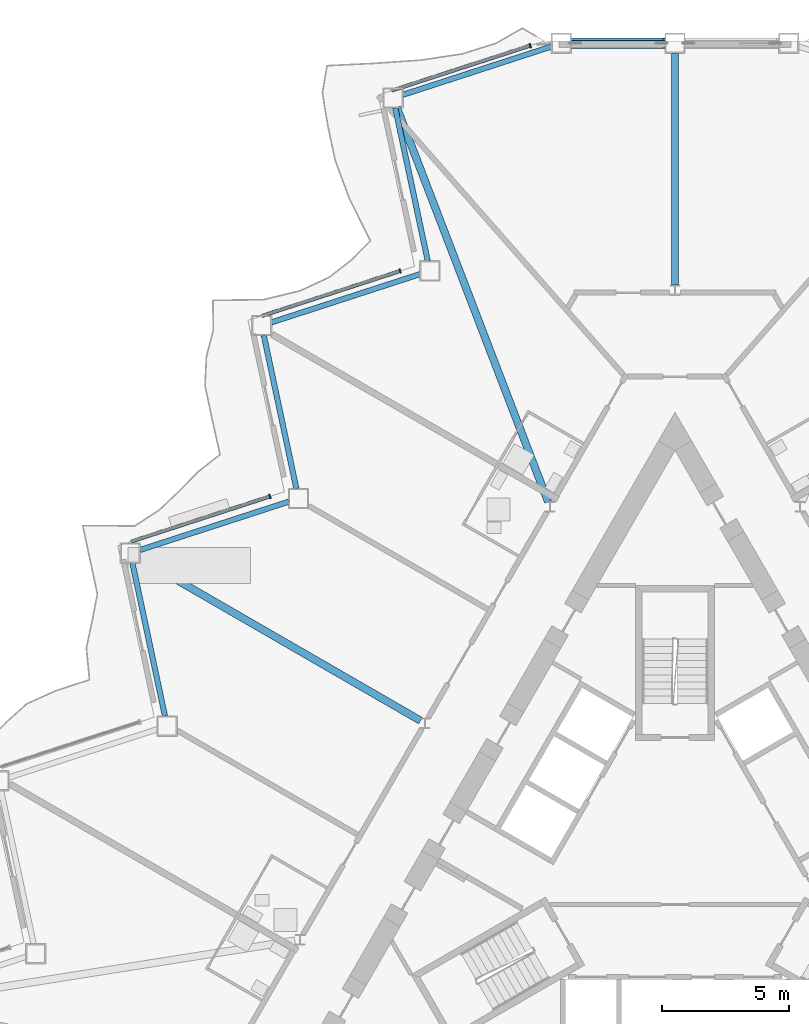
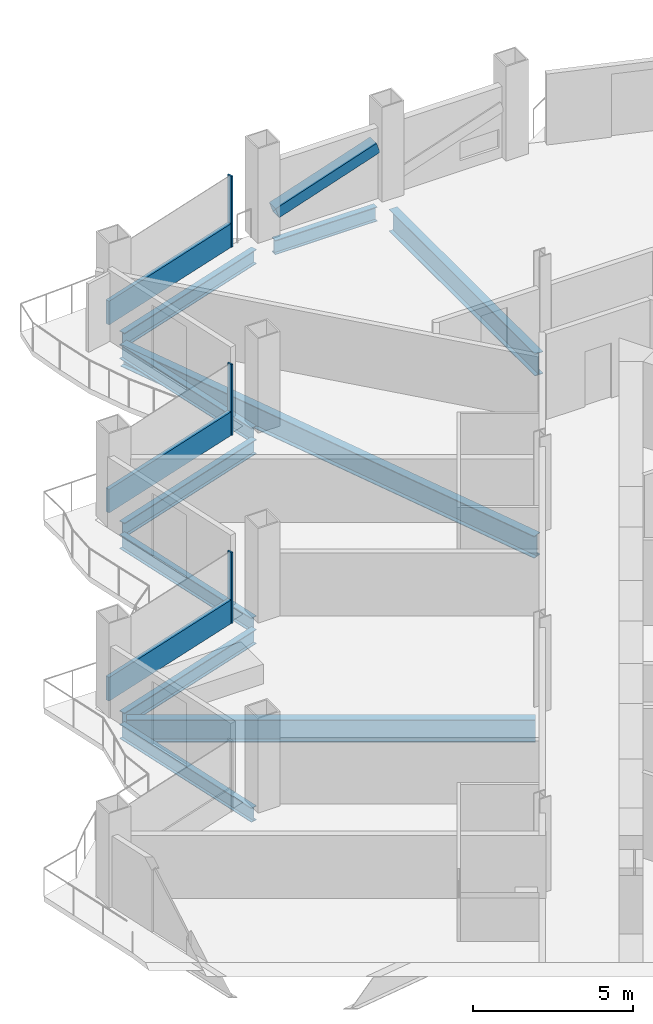
# One storey, part 7 of 23: 10 beams, 7 members, 3 elements without a shape of their own.
"""IFC4 building model written with IfcOpenShell, lengths in metres."""

from ifc_helpers import new_model, si_unit, direction, frame, origin, origin_2d, place, context, subcontext, project, spatial, rectangle, hollow_rectangle, i_section, extrude, material, layer, layer_set, material_profile, profile_set, type_object, element, aggregate, save


model = new_model("IFC4")

# Units and contexts
model_context = context("Model", 3, precision=1e-05, world=origin(), true_north=direction((0.0, 1.0)))
body_context = subcontext(model_context, "Body", "Model", "MODEL_VIEW")
ifc_project = project(units=[si_unit("LENGTHUNIT", "METRE"), si_unit("AREAUNIT", "SQUARE_METRE"), si_unit("VOLUMEUNIT", "CUBIC_METRE"), si_unit("PLANEANGLEUNIT", "RADIAN"), si_unit("MASSUNIT", "GRAM", prefix="KILO")], contexts=[model_context])

# Site, building, storey
site_placement = place(None, origin())
site = spatial("IfcSite", under=ifc_project, at=site_placement, CompositionType="ELEMENT")
building_placement = place(site_placement, origin())
building = spatial("IfcBuilding", under=site, at=building_placement, Name="Cormorant Prow Tower", CompositionType="ELEMENT")
storey_placement = place(building_placement, frame((0.0, 0.0, 176.39990234375)))
storey = spatial("IfcBuildingStorey", under=building, at=storey_placement, Name="L37", CompositionType="ELEMENT", Elevation=176.39990234375)

# Member
ifc_material_1 = material(Name="Structural steel ASTM A500 Gr C", Category="steel")
ifc_material_profile_1 = material_profile(ifc_material_1, hollow_rectangle(XDim=0.406494140625, YDim=0.406494140625, WallThickness=0.01171875, at=origin_2d()), Name="HSS16x16x1/2")
ifc_profile_set_1 = profile_set([ifc_material_profile_1], Name="Structural steel ASTM A500 Gr C")
member_type_1 = type_object("IfcMemberType", Name="Chamfer brace HSS16x16x1/2", PredefinedType="BRACE", material=ifc_profile_set_1)
member_1_placement = place(storey_placement, frame((-4.05322265625, 32.3994140625, 0.740234375), z_axis=(0.947999999098, 0.0, 0.318270328039), x_axis=(0.0, 1.0, 0.0)))
element("IfcMember", 1, at=member_1_placement, inside=storey, type_object=member_type_1, Name="Chamfer brace BR2 at N01 L37", PredefinedType="BRACE", context=body_context, shape_type="SweptSolid", body=[
    extrude(hollow_rectangle(XDim=0.406494140625, YDim=0.406494140625, WallThickness=0.01171875, at=origin_2d()), origin(), (0.0, 0.0, 1.0), 3.83544921875),
])

# Curtain wall, member
ifc_material_2 = material(Name="Aluminium 6063-T6", Category="aluminium")
ifc_layer = layer(ifc_material_2, 0.179931640625)
ifc_layer_set = layer_set([ifc_layer], Name="Aluminium 6063-T6")
curtain_wall_type = type_object("IfcCurtainWallType", Name="Hotel unitised curtain wall 180", PredefinedType="NOTDEFINED", material=ifc_layer_set)
curtain_wall_1_placement = place(storey_placement, origin())
curtain_wall_1 = element("IfcCurtainWall", 2, at=curtain_wall_1_placement, inside=storey, type_object=curtain_wall_type, Name="Hotel curtain wall WNW00", PredefinedType="NOTDEFINED")
ifc_material_3 = material(Name="Aluminium 6063-T6", Category="aluminium")
ifc_material_profile_2 = material_profile(ifc_material_3, rectangle(XDim=0.179931640625, YDim=0.06005859375, at=origin_2d()), Name="Hotel mullion 60x180")
ifc_profile_set_2 = profile_set([ifc_material_profile_2], Name="Aluminium 6063-T6")
member_type_2 = type_object("IfcMemberType", Name="Hotel mullion 60x180", PredefinedType="MULLION", material=ifc_profile_set_2)
member_2_placement = place(storey_placement, frame((-5.692626953125, 32.30908203125, 0.0), z_axis=(0.0, 0.0, 1.0), x_axis=(0.309017069121, -0.951056492009, 0.0)))
member_2 = element("IfcMember", 3, at=member_2_placement, type_object=member_type_2, Name="Hotel mullion WNW00", PredefinedType="MULLION", context=body_context, shape_type="SweptSolid", body=[
    extrude(rectangle(XDim=0.179931640625, YDim=0.06005859375, at=origin_2d()), origin(), (0.0, 0.0, 1.0), 2.700927734375),
])

curtain_wall_2_placement = place(storey_placement, origin())
curtain_wall_2 = element("IfcCurtainWall", 4, at=curtain_wall_2_placement, inside=storey, type_object=curtain_wall_type, Name="Hotel curtain wall WNW02", PredefinedType="NOTDEFINED")
member_3_placement = place(storey_placement, frame((-10.808349609375, 23.448486328125, 0.0), z_axis=(0.0, 0.0, 1.0), x_axis=(0.309017069121, -0.951056492009, 0.0)))
member_3 = element("IfcMember", 5, at=member_3_placement, type_object=member_type_2, Name="Hotel mullion WNW02", PredefinedType="MULLION", context=body_context, shape_type="SweptSolid", body=[
    extrude(rectangle(XDim=0.179931640625, YDim=0.06005859375, at=origin_2d()), origin(), (0.0, 0.0, 1.0), 2.700927734375),
])

curtain_wall_3_placement = place(storey_placement, origin())
curtain_wall_3 = element("IfcCurtainWall", 6, at=curtain_wall_3_placement, inside=storey, type_object=curtain_wall_type, Name="Hotel curtain wall WNW04", PredefinedType="NOTDEFINED")
member_4_placement = place(storey_placement, frame((-15.924072265625, 14.587646484375, 0.0), z_axis=(0.0, 0.0, 1.0), x_axis=(0.309016937722, -0.951056534703, 0.0)))
member_4 = element("IfcMember", 7, at=member_4_placement, type_object=member_type_2, Name="Hotel mullion WNW04", PredefinedType="MULLION", context=body_context, shape_type="SweptSolid", body=[
    extrude(rectangle(XDim=0.179931640625, YDim=0.06005859375, at=origin_2d()), origin(), (0.0, 0.0, 1.0), 2.700927734375),
])

# Member
ifc_material_4 = material(Name="Terracotta", Category="masonry")
ifc_material_profile_3 = material_profile(ifc_material_4, rectangle(XDim=0.139892578125, YDim=0.89990234375, at=origin_2d()), Name="Hotel terracotta spandrel rail 140x900")
ifc_profile_set_3 = profile_set([ifc_material_profile_3], Name="Terracotta")
member_type_3 = type_object("IfcMemberType", Name="Hotel terracotta spandrel rail 140x900", PredefinedType="USERDEFINED", material=ifc_profile_set_3)
member_5_placement = place(storey_placement, frame((-5.72119140625, 32.2998046875, 0.4501953125), z_axis=(-0.951059615859, -0.309007454735, 0.0), x_axis=(0.309007454735, -0.951059615859, 0.0)))
member_5 = element("IfcMember", 8, at=member_5_placement, type_object=member_type_3, Name="Hotel spandrel rail WNW00", ObjectType="TRANSOM", PredefinedType="USERDEFINED", context=body_context, shape_type="SweptSolid", body=[
    extrude(rectangle(XDim=0.139892578125, YDim=0.89990234375, at=origin_2d()), origin(), (0.0, 0.0, 1.0), 5.687744140625),
])

aggregate(curtain_wall_1, [member_2, member_5])

member_6_placement = place(storey_placement, frame((-10.8369140625, 23.439208984375, 0.4501953125), z_axis=(-0.951047000634, -0.309046279034, 0.0), x_axis=(0.309046279034, -0.951047000634, 0.0)))
member_6 = element("IfcMember", 9, at=member_6_placement, type_object=member_type_3, Name="Hotel spandrel rail WNW02", ObjectType="TRANSOM", PredefinedType="USERDEFINED", context=body_context, shape_type="SweptSolid", body=[
    extrude(rectangle(XDim=0.139892578125, YDim=0.89990234375, at=origin_2d()), origin(), (0.0, 0.0, 1.0), 5.687744140625),
])

aggregate(curtain_wall_2, [member_3, member_6])

member_7_placement = place(storey_placement, frame((-15.95263671875, 14.578369140625, 0.4501953125), z_axis=(-0.951059615859, -0.309007454735, 0.0), x_axis=(0.309007454735, -0.951059615859, 0.0)))
member_7 = element("IfcMember", 10, at=member_7_placement, type_object=member_type_3, Name="Hotel spandrel rail WNW04", ObjectType="TRANSOM", PredefinedType="USERDEFINED", context=body_context, shape_type="SweptSolid", body=[
    extrude(rectangle(XDim=0.139892578125, YDim=0.89990234375, at=origin_2d()), origin(), (0.0, 0.0, 1.0), 5.687744140625),
])

aggregate(curtain_wall_3, [member_4, member_7])

# Beams
ifc_material_5 = material(Name="Structural steel ASTM A992 Gr 50", Category="steel")
ifc_material_profile_4 = material_profile(ifc_material_5, i_section(OverallWidth=0.29296875, OverallDepth=0.845703125, WebThickness=0.015380859375, FlangeThickness=0.0244140625, at=origin_2d()), Name="W33x141")
ifc_profile_set_4 = profile_set([ifc_material_profile_4], Name="Structural steel ASTM A992 Gr 50")
beam_type_1 = type_object("IfcBeamType", Name="Radial floor beam W33x141", PredefinedType="BEAM", material=ifc_profile_set_4)
beam_1_placement = place(storey_placement, frame((0.0, 22.901611328125, -0.772705078125), z_axis=(0.0, 1.0, 0.0), x_axis=(-1.0, 0.0, 0.0)))
element("IfcBeam", 11, at=beam_1_placement, inside=storey, type_object=beam_type_1, Name="Radial floor beam FB2 1 L37", PredefinedType="BEAM", context=body_context, shape_type="SweptSolid", body=[
    extrude(i_section(OverallWidth=0.29296875, OverallDepth=0.845703125, WebThickness=0.015380859375, FlangeThickness=0.0244140625, at=origin_2d()), origin(), (0.0, 0.0, 1.0), 9.097900390625),
])
beam_2_placement = place(storey_placement, frame((-4.9873046875, 14.376220703125, -0.772705078125), z_axis=(-0.358301123829, 0.933606075742, 0.0), x_axis=(-0.933606075742, -0.358301123829, 0.0)))
element("IfcBeam", 12, at=beam_2_placement, inside=storey, type_object=beam_type_1, Name="Radial floor beam FB2 2 L37", PredefinedType="BEAM", context=body_context, shape_type="SweptSolid", body=[
    extrude(i_section(OverallWidth=0.29296875, OverallDepth=0.845703125, WebThickness=0.015380859375, FlangeThickness=0.0244140625, at=origin_2d()), origin(), (0.0, 0.0, 1.0), 16.604736328125),
])
beam_3_placement = place(storey_placement, frame((-10.0048828125, 5.7763671875, -0.772705078125), z_axis=(-0.866026069776, 0.499998846467, 0.0), x_axis=(-0.499998846467, -0.866026069776, 0.0)))
element("IfcBeam", 13, at=beam_3_placement, inside=storey, type_object=beam_type_1, Name="Radial floor beam FB2 3 L37", PredefinedType="BEAM", context=body_context, shape_type="SweptSolid", body=[
    extrude(i_section(OverallWidth=0.29296875, OverallDepth=0.845703125, WebThickness=0.015380859375, FlangeThickness=0.0244140625, at=origin_2d()), origin(), (0.0, 0.0, 1.0), 12.76904296875),
])
ifc_material_6 = material(Name="Structural steel ASTM A992 Gr 50", Category="steel")
ifc_material_profile_5 = material_profile(ifc_material_6, i_section(OverallWidth=0.2138671875, OverallDepth=0.549072265625, WebThickness=0.0146484375, FlangeThickness=0.023681640625, at=origin_2d()), Name="W21x93")
ifc_profile_set_5 = profile_set([ifc_material_profile_5], Name="Structural steel ASTM A992 Gr 50")
beam_type_2 = type_object("IfcBeamType", Name="Spandrel beam W21x93", PredefinedType="SPANDREL", material=ifc_profile_set_5)
beam_4_placement = place(storey_placement, frame((-0.39990234375, 32.3994140625, -0.62451171875), z_axis=(-1.0, 0.0, 0.0), x_axis=(0.0, -1.0, 0.0)))
element("IfcBeam", 14, at=beam_4_placement, inside=storey, type_object=beam_type_2, Name="Spandrel beam SB2 N01-WNW00 L37", PredefinedType="SPANDREL", context=body_context, shape_type="SweptSolid", body=[
    extrude(i_section(OverallWidth=0.2138671875, OverallDepth=0.549072265625, WebThickness=0.0146484375, FlangeThickness=0.023681640625, at=origin_2d()), origin(), (0.0, 0.0, 1.0), 3.67041015625),
])
beam_5_placement = place(storey_placement, frame((-4.850830078125, 32.27587890625, -0.62451171875), z_axis=(-0.951057696564, -0.309013361859, 0.0), x_axis=(0.309013361859, -0.951057696564, 0.0)))
element("IfcBeam", 15, at=beam_5_placement, inside=storey, type_object=beam_type_2, Name="Spandrel beam SB2 WNW00-WNW01 L37", PredefinedType="SPANDREL", context=body_context, shape_type="SweptSolid", body=[
    extrude(i_section(OverallWidth=0.2138671875, OverallDepth=0.549072265625, WebThickness=0.0146484375, FlangeThickness=0.023681640625, at=origin_2d()), origin(), (0.0, 0.0, 1.0), 6.14990234375),
])
beam_6_placement = place(storey_placement, frame((-10.996826171875, 29.860595703125, -0.62451171875), z_axis=(0.207904811195, -0.978149063018, 0.0), x_axis=(0.978149063018, 0.207904811195, 0.0)))
element("IfcBeam", 16, at=beam_6_placement, inside=storey, type_object=beam_type_2, Name="Spandrel beam SB2 WNW01-WNW02 L37", PredefinedType="SPANDREL", context=body_context, shape_type="SweptSolid", body=[
    extrude(i_section(OverallWidth=0.2138671875, OverallDepth=0.549072265625, WebThickness=0.0146484375, FlangeThickness=0.023681640625, at=origin_2d()), origin(), (0.0, 0.0, 1.0), 6.149658203125),
])
beam_7_placement = place(storey_placement, frame((-10.015625, 23.330322265625, -0.62451171875), z_axis=(-0.951057696564, -0.309013361859, 0.0), x_axis=(0.309013361859, -0.951057696564, 0.0)))
element("IfcBeam", 17, at=beam_7_placement, inside=storey, type_object=beam_type_2, Name="Spandrel beam SB2 WNW02-WNW03 L37", PredefinedType="SPANDREL", context=body_context, shape_type="SweptSolid", body=[
    extrude(i_section(OverallWidth=0.2138671875, OverallDepth=0.549072265625, WebThickness=0.0146484375, FlangeThickness=0.023681640625, at=origin_2d()), origin(), (0.0, 0.0, 1.0), 6.14990234375),
])
beam_8_placement = place(storey_placement, frame((-16.16162109375, 20.9150390625, -0.62451171875), z_axis=(0.207904811195, -0.978149063018, 0.0), x_axis=(0.978149063018, 0.207904811195, 0.0)))
element("IfcBeam", 18, at=beam_8_placement, inside=storey, type_object=beam_type_2, Name="Spandrel beam SB2 WNW03-WNW04 L37", PredefinedType="SPANDREL", context=body_context, shape_type="SweptSolid", body=[
    extrude(i_section(OverallWidth=0.2138671875, OverallDepth=0.549072265625, WebThickness=0.0146484375, FlangeThickness=0.023681640625, at=origin_2d()), origin(), (0.0, 0.0, 1.0), 6.149658203125),
])
beam_9_placement = place(storey_placement, frame((-15.18017578125, 14.384765625, -0.62451171875), z_axis=(-0.951057696564, -0.309013361859, 0.0), x_axis=(0.309013361859, -0.951057696564, 0.0)))
element("IfcBeam", 19, at=beam_9_placement, inside=storey, type_object=beam_type_2, Name="Spandrel beam SB2 WNW04-WNW05 L37", PredefinedType="SPANDREL", context=body_context, shape_type="SweptSolid", body=[
    extrude(i_section(OverallWidth=0.2138671875, OverallDepth=0.549072265625, WebThickness=0.0146484375, FlangeThickness=0.023681640625, at=origin_2d()), origin(), (0.0, 0.0, 1.0), 6.14990234375),
])
beam_10_placement = place(storey_placement, frame((-21.326416015625, 11.969482421875, -0.62451171875), z_axis=(0.207904811195, -0.978149063018, 0.0), x_axis=(0.978149063018, 0.207904811195, 0.0)))
element("IfcBeam", 20, at=beam_10_placement, inside=storey, type_object=beam_type_2, Name="Spandrel beam SB2 WNW05-WNW06 L37", PredefinedType="SPANDREL", context=body_context, shape_type="SweptSolid", body=[
    extrude(i_section(OverallWidth=0.2138671875, OverallDepth=0.549072265625, WebThickness=0.0146484375, FlangeThickness=0.023681640625, at=origin_2d()), origin(), (0.0, 0.0, 1.0), 6.149658203125),
])

save(model, "model.ifc")
